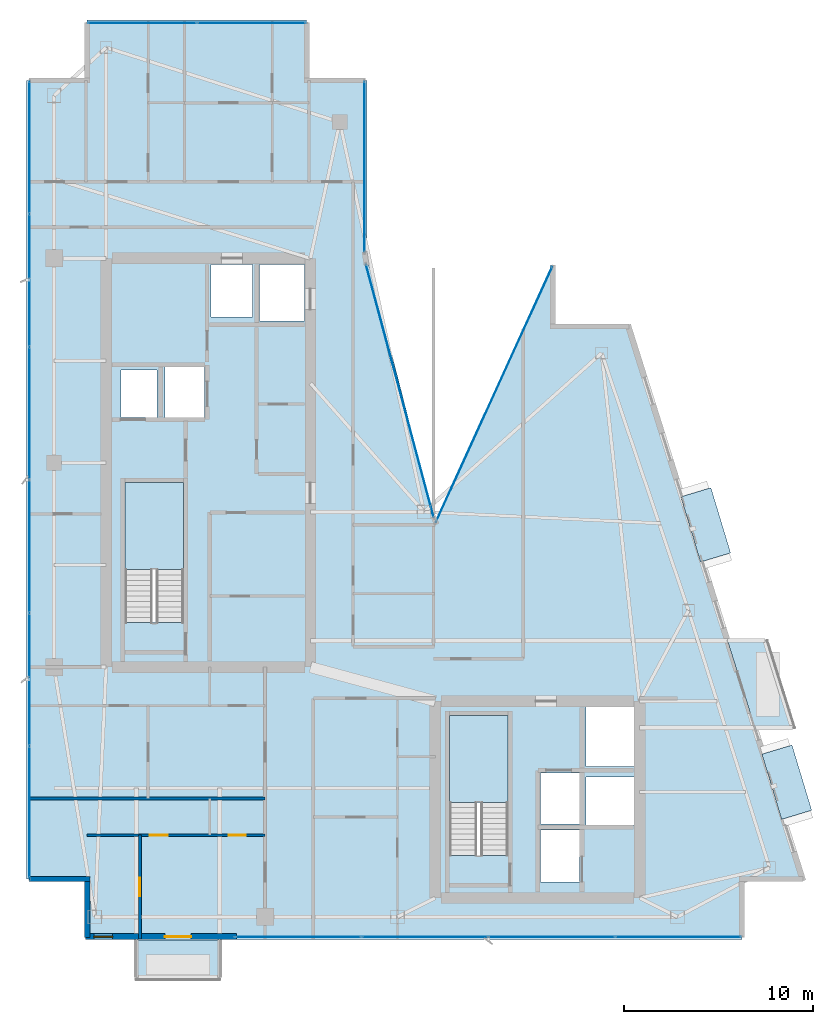
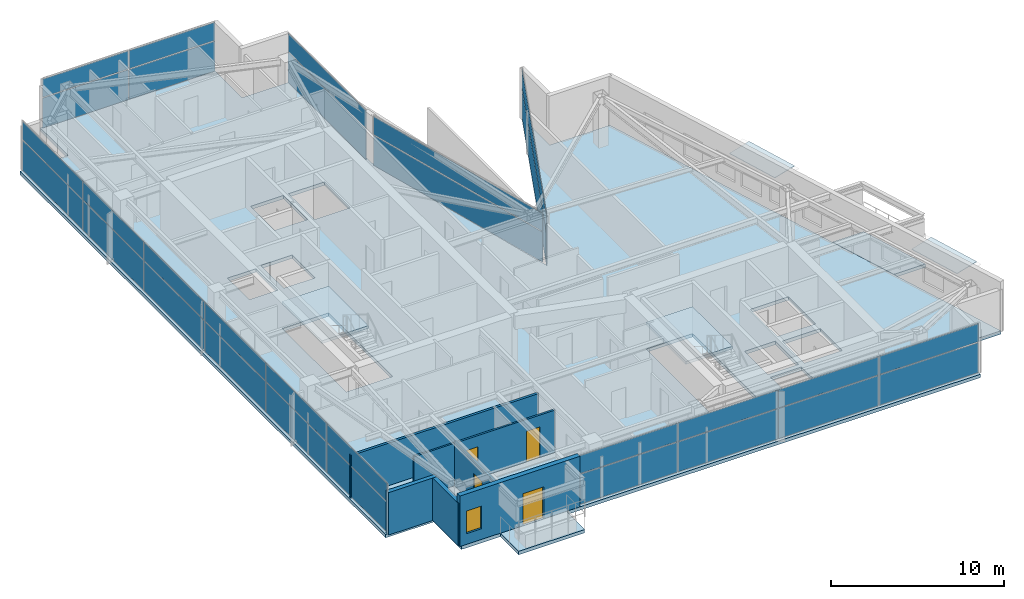
# One storey, part 21 of 27: 32 plates, 6 walls, 5 slabs, 4 doors, 1 window, 5 openings, 8 elements without a shape of their own.
"""IFC4 building model written with IfcOpenShell, lengths in metres."""

from ifc_helpers import new_model, si_unit, direction, frame, frame_2d, origin, origin_2d, place, context, subcontext, project, spatial, polyline, rectangle, outline, extrude, material, layer, layer_set, type_object, element, fill, aggregate, save


model = new_model("IFC4")

# Units and contexts
model_context = context("Model", 3, precision=1e-05, world=origin(), true_north=direction((0.0, 1.0)))
body_context = subcontext(model_context, "Body", "Model", "MODEL_VIEW")
ifc_project = project(units=[si_unit("LENGTHUNIT", "METRE"), si_unit("AREAUNIT", "SQUARE_METRE"), si_unit("VOLUMEUNIT", "CUBIC_METRE"), si_unit("PLANEANGLEUNIT", "RADIAN"), si_unit("MASSUNIT", "GRAM", prefix="KILO")], contexts=[model_context])

# Site, building, storey
site_placement = place(None, origin())
site = spatial("IfcSite", under=ifc_project, at=site_placement, CompositionType="ELEMENT")
building_placement = place(site_placement, origin())
building = spatial("IfcBuilding", under=site, at=building_placement, Name="Calvorn Quay Hotel", CompositionType="ELEMENT")
storey_placement = place(building_placement, frame((0.0, 0.0, 294.89990234375)))
storey = spatial("IfcBuildingStorey", under=building, at=storey_placement, Name="L73", CompositionType="ELEMENT", Elevation=294.89990234375)

# Curtain wall, plates
ifc_material_1 = material(Name="Champagne Bronze Anodised Aluminium and Low-E Glass", Category="aluminium")
ifc_layer_1 = layer(ifc_material_1, 0.219970703125)
ifc_layer_set_1 = layer_set([ifc_layer_1], Name="CW-SYS-Z4")
curtain_wall_type = type_object("IfcCurtainWallType", Name="CW-SYS-Z4", PredefinedType="NOTDEFINED", material=ifc_layer_set_1)
curtain_wall_1_placement = place(storey_placement, origin())
curtain_wall_1 = element("IfcCurtainWall", 1, at=curtain_wall_1_placement, inside=storey, type_object=curtain_wall_type, Name="Tower West Curtain Wall (L73)", PredefinedType="NOTDEFINED")
ifc_material_2 = material(Name="Low-E Laminated Double Glazing", Category="glass")
ifc_layer_2 = layer(ifc_material_2, 0.028076171875)
ifc_layer_set_2 = layer_set([ifc_layer_2], Name="CW-SYS-Z4-PAN")
plate_type_1 = type_object("IfcPlateType", Name="CW-SYS-Z4-PAN", PredefinedType="CURTAIN_PANEL", material=ifc_layer_set_2)
plate_1_placement = place(storey_placement, frame((0.14990234375, 9.131591796875, 0.06005859375), z_axis=(0.0, 0.0, 1.0), x_axis=(0.0, 1.0, 0.0)))
plate_1 = element("IfcPlate", 2, at=plate_1_placement, type_object=plate_type_1, Name="CW-L73-W panel 1.1", PredefinedType="CURTAIN_PANEL", context=body_context, shape_type="SweptSolid", body=[
    extrude(rectangle(XDim=6.943359375, YDim=0.028076171875, at=origin_2d()), origin(), (0.0, 0.0, 1.0), 2.110107421875),
])
plate_2_placement = place(storey_placement, frame((0.14990234375, 9.131591796875, 2.22998046875), z_axis=(0.0, 0.0, 1.0), x_axis=(0.0, 1.0, 0.0)))
plate_2 = element("IfcPlate", 3, at=plate_2_placement, type_object=plate_type_1, Name="CW-L73-W panel 1.2", PredefinedType="CURTAIN_PANEL", context=body_context, shape_type="SweptSolid", body=[
    extrude(rectangle(XDim=6.943359375, YDim=0.028076171875, at=origin_2d()), origin(), (0.0, 0.0, 1.0), 1.27001953125),
])
plate_3_placement = place(storey_placement, frame((0.14990234375, 16.14990234375, 0.06005859375), z_axis=(0.0, 0.0, 1.0), x_axis=(0.0, 1.0, 0.0)))
plate_3 = element("IfcPlate", 4, at=plate_3_placement, type_object=plate_type_1, Name="CW-L73-W panel 2.1", PredefinedType="CURTAIN_PANEL", context=body_context, shape_type="SweptSolid", body=[
    extrude(rectangle(XDim=6.973388671875, YDim=0.028076171875, at=origin_2d()), origin(), (0.0, 0.0, 1.0), 2.110107421875),
])
plate_4_placement = place(storey_placement, frame((0.14990234375, 16.14990234375, 2.22998046875), z_axis=(0.0, 0.0, 1.0), x_axis=(0.0, 1.0, 0.0)))
plate_4 = element("IfcPlate", 5, at=plate_4_placement, type_object=plate_type_1, Name="CW-L73-W panel 2.2", PredefinedType="CURTAIN_PANEL", context=body_context, shape_type="SweptSolid", body=[
    extrude(rectangle(XDim=6.973388671875, YDim=0.028076171875, at=origin_2d()), origin(), (0.0, 0.0, 1.0), 1.27001953125),
])
plate_5_placement = place(storey_placement, frame((0.14990234375, 23.183349609375, 0.06005859375), z_axis=(0.0, 0.0, 1.0), x_axis=(0.0, 1.0, 0.0)))
plate_5 = element("IfcPlate", 6, at=plate_5_placement, type_object=plate_type_1, Name="CW-L73-W panel 3.1", PredefinedType="CURTAIN_PANEL", context=body_context, shape_type="SweptSolid", body=[
    extrude(rectangle(XDim=6.973388671875, YDim=0.028076171875, at=origin_2d()), origin(), (0.0, 0.0, 1.0), 2.110107421875),
])
plate_6_placement = place(storey_placement, frame((0.14990234375, 23.183349609375, 2.22998046875), z_axis=(0.0, 0.0, 1.0), x_axis=(0.0, 1.0, 0.0)))
plate_6 = element("IfcPlate", 7, at=plate_6_placement, type_object=plate_type_1, Name="CW-L73-W panel 3.2", PredefinedType="CURTAIN_PANEL", context=body_context, shape_type="SweptSolid", body=[
    extrude(rectangle(XDim=6.973388671875, YDim=0.028076171875, at=origin_2d()), origin(), (0.0, 0.0, 1.0), 1.27001953125),
])
plate_7_placement = place(storey_placement, frame((0.14990234375, 30.216552734375, 0.06005859375), z_axis=(0.0, 0.0, 1.0), x_axis=(0.0, 1.0, 0.0)))
plate_7 = element("IfcPlate", 8, at=plate_7_placement, type_object=plate_type_1, Name="CW-L73-W panel 4.1", PredefinedType="CURTAIN_PANEL", context=body_context, shape_type="SweptSolid", body=[
    extrude(rectangle(XDim=6.973388671875, YDim=0.028076171875, at=origin_2d()), origin(), (0.0, 0.0, 1.0), 2.110107421875),
])
plate_8_placement = place(storey_placement, frame((0.14990234375, 30.216552734375, 2.22998046875), z_axis=(0.0, 0.0, 1.0), x_axis=(0.0, 1.0, 0.0)))
plate_8 = element("IfcPlate", 9, at=plate_8_placement, type_object=plate_type_1, Name="CW-L73-W panel 4.2", PredefinedType="CURTAIN_PANEL", context=body_context, shape_type="SweptSolid", body=[
    extrude(rectangle(XDim=6.973388671875, YDim=0.028076171875, at=origin_2d()), origin(), (0.0, 0.0, 1.0), 1.27001953125),
])
plate_9_placement = place(storey_placement, frame((0.14990234375, 37.25, 0.06005859375), z_axis=(0.0, 0.0, 1.0), x_axis=(0.0, 1.0, 0.0)))
plate_9 = element("IfcPlate", 10, at=plate_9_placement, type_object=plate_type_1, Name="CW-L73-W panel 5.1", PredefinedType="CURTAIN_PANEL", context=body_context, shape_type="SweptSolid", body=[
    extrude(rectangle(XDim=6.973388671875, YDim=0.028076171875, at=origin_2d()), origin(), (0.0, 0.0, 1.0), 2.110107421875),
])
plate_10_placement = place(storey_placement, frame((0.14990234375, 37.25, 2.22998046875), z_axis=(0.0, 0.0, 1.0), x_axis=(0.0, 1.0, 0.0)))
plate_10 = element("IfcPlate", 11, at=plate_10_placement, type_object=plate_type_1, Name="CW-L73-W panel 5.2", PredefinedType="CURTAIN_PANEL", context=body_context, shape_type="SweptSolid", body=[
    extrude(rectangle(XDim=6.973388671875, YDim=0.028076171875, at=origin_2d()), origin(), (0.0, 0.0, 1.0), 1.27001953125),
])
plate_11_placement = place(storey_placement, frame((0.14990234375, 44.268310546875, 0.06005859375), z_axis=(0.0, 0.0, 1.0), x_axis=(0.0, 1.0, 0.0)))
plate_11 = element("IfcPlate", 12, at=plate_11_placement, type_object=plate_type_1, Name="CW-L73-W panel 6.1", PredefinedType="CURTAIN_PANEL", context=body_context, shape_type="SweptSolid", body=[
    extrude(rectangle(XDim=6.943359375, YDim=0.028076171875, at=origin_2d()), origin(), (0.0, 0.0, 1.0), 2.110107421875),
])
plate_12_placement = place(storey_placement, frame((0.14990234375, 44.268310546875, 2.22998046875), z_axis=(0.0, 0.0, 1.0), x_axis=(0.0, 1.0, 0.0)))
plate_12 = element("IfcPlate", 13, at=plate_12_placement, type_object=plate_type_1, Name="CW-L73-W panel 6.2", PredefinedType="CURTAIN_PANEL", context=body_context, shape_type="SweptSolid", body=[
    extrude(rectangle(XDim=6.943359375, YDim=0.028076171875, at=origin_2d()), origin(), (0.0, 0.0, 1.0), 1.27001953125),
])
aggregate(curtain_wall_1, [plate_1, plate_2, plate_3, plate_4, plate_5, plate_6, plate_7, plate_8, plate_9, plate_10, plate_11, plate_12])

curtain_wall_2_placement = place(storey_placement, origin())
curtain_wall_2 = element("IfcCurtainWall", 14, at=curtain_wall_2_placement, inside=storey, type_object=curtain_wall_type, Name="Tower South Waterfront Curtain Wall (L73)", PredefinedType="NOTDEFINED")
plate_13_placement = place(storey_placement, frame((14.364990234375, 2.550048828125, 0.06005859375), z_axis=(0.0, 0.0, 1.0), x_axis=(1.0, 0.0, 0.0)))
plate_13 = element("IfcPlate", 15, at=plate_13_placement, type_object=plate_type_1, Name="CW-L73-S panel 1.1", PredefinedType="CURTAIN_PANEL", context=body_context, shape_type="SweptSolid", body=[
    extrude(rectangle(XDim=6.610107421875, YDim=0.028076171875, at=origin_2d()), origin(), (0.0, 0.0, 1.0), 2.110107421875),
])
plate_14_placement = place(storey_placement, frame((14.364990234375, 2.550048828125, 2.22998046875), z_axis=(0.0, 0.0, 1.0), x_axis=(1.0, 0.0, 0.0)))
plate_14 = element("IfcPlate", 16, at=plate_14_placement, type_object=plate_type_1, Name="CW-L73-S panel 1.2", PredefinedType="CURTAIN_PANEL", context=body_context, shape_type="SweptSolid", body=[
    extrude(rectangle(XDim=6.610107421875, YDim=0.028076171875, at=origin_2d()), origin(), (0.0, 0.0, 1.0), 1.27001953125),
])
plate_15_placement = place(storey_placement, frame((21.050048828125, 2.550048828125, 0.06005859375), z_axis=(0.0, 0.0, 1.0), x_axis=(1.0, 0.0, 0.0)))
plate_15 = element("IfcPlate", 17, at=plate_15_placement, type_object=plate_type_1, Name="CW-L73-S panel 2.1", PredefinedType="CURTAIN_PANEL", context=body_context, shape_type="SweptSolid", body=[
    extrude(rectangle(XDim=6.639892578125, YDim=0.028076171875, at=origin_2d()), origin(), (0.0, 0.0, 1.0), 2.110107421875),
])
plate_16_placement = place(storey_placement, frame((21.050048828125, 2.550048828125, 2.22998046875), z_axis=(0.0, 0.0, 1.0), x_axis=(1.0, 0.0, 0.0)))
plate_16 = element("IfcPlate", 18, at=plate_16_placement, type_object=plate_type_1, Name="CW-L73-S panel 2.2", PredefinedType="CURTAIN_PANEL", context=body_context, shape_type="SweptSolid", body=[
    extrude(rectangle(XDim=6.639892578125, YDim=0.028076171875, at=origin_2d()), origin(), (0.0, 0.0, 1.0), 1.27001953125),
])
plate_17_placement = place(storey_placement, frame((27.75, 2.550048828125, 0.06005859375), z_axis=(0.0, 0.0, 1.0), x_axis=(1.0, 0.0, 0.0)))
plate_17 = element("IfcPlate", 19, at=plate_17_placement, type_object=plate_type_1, Name="CW-L73-S panel 3.1", PredefinedType="CURTAIN_PANEL", context=body_context, shape_type="SweptSolid", body=[
    extrude(rectangle(XDim=6.639892578125, YDim=0.028076171875, at=origin_2d()), origin(), (0.0, 0.0, 1.0), 2.110107421875),
])
plate_18_placement = place(storey_placement, frame((27.75, 2.550048828125, 2.22998046875), z_axis=(0.0, 0.0, 1.0), x_axis=(1.0, 0.0, 0.0)))
plate_18 = element("IfcPlate", 20, at=plate_18_placement, type_object=plate_type_1, Name="CW-L73-S panel 3.2", PredefinedType="CURTAIN_PANEL", context=body_context, shape_type="SweptSolid", body=[
    extrude(rectangle(XDim=6.639892578125, YDim=0.028076171875, at=origin_2d()), origin(), (0.0, 0.0, 1.0), 1.27001953125),
])
plate_19_placement = place(storey_placement, frame((34.43505859375, 2.550048828125, 0.06005859375), z_axis=(0.0, 0.0, 1.0), x_axis=(1.0, 0.0, 0.0)))
plate_19 = element("IfcPlate", 21, at=plate_19_placement, type_object=plate_type_1, Name="CW-L73-S panel 4.1", PredefinedType="CURTAIN_PANEL", context=body_context, shape_type="SweptSolid", body=[
    extrude(rectangle(XDim=6.610107421875, YDim=0.028076171875, at=origin_2d()), origin(), (0.0, 0.0, 1.0), 2.110107421875),
])
plate_20_placement = place(storey_placement, frame((34.43505859375, 2.550048828125, 2.22998046875), z_axis=(0.0, 0.0, 1.0), x_axis=(1.0, 0.0, 0.0)))
plate_20 = element("IfcPlate", 22, at=plate_20_placement, type_object=plate_type_1, Name="CW-L73-S panel 4.2", PredefinedType="CURTAIN_PANEL", context=body_context, shape_type="SweptSolid", body=[
    extrude(rectangle(XDim=6.610107421875, YDim=0.028076171875, at=origin_2d()), origin(), (0.0, 0.0, 1.0), 1.27001953125),
])
aggregate(curtain_wall_2, [plate_13, plate_14, plate_15, plate_16, plate_17, plate_18, plate_19, plate_20])

curtain_wall_3_placement = place(storey_placement, origin())
curtain_wall_3 = element("IfcCurtainWall", 23, at=curtain_wall_3_placement, inside=storey, type_object=curtain_wall_type, Name="Inner Court Curtain Wall L73-NE1", PredefinedType="NOTDEFINED")
plate_21_placement = place(storey_placement, frame((24.699951171875, 31.199951171875, 0.06005859375), z_axis=(0.0, 0.0, 1.0), x_axis=(-0.414810847724, -0.909907665981, 0.0)))
plate_21 = element("IfcPlate", 24, at=plate_21_placement, type_object=plate_type_1, Name="CW-L73-NE1 panel 1.1", PredefinedType="CURTAIN_PANEL", context=body_context, shape_type="SweptSolid", body=[
    extrude(rectangle(XDim=14.82666015625, YDim=0.028076171875, at=origin_2d()), origin(), (0.0, 0.0, 1.0), 2.110107421875),
])
plate_22_placement = place(storey_placement, frame((24.699951171875, 31.199951171875, 2.22998046875), z_axis=(0.0, 0.0, 1.0), x_axis=(-0.414810847724, -0.909907665981, 0.0)))
plate_22 = element("IfcPlate", 25, at=plate_22_placement, type_object=plate_type_1, Name="CW-L73-NE1 panel 1.2", PredefinedType="CURTAIN_PANEL", context=body_context, shape_type="SweptSolid", body=[
    extrude(rectangle(XDim=14.82666015625, YDim=0.028076171875, at=origin_2d()), origin(), (0.0, 0.0, 1.0), 1.27001953125),
])
aggregate(curtain_wall_3, [plate_21, plate_22])

curtain_wall_4_placement = place(storey_placement, origin())
curtain_wall_4 = element("IfcCurtainWall", 26, at=curtain_wall_4_placement, inside=storey, type_object=curtain_wall_type, Name="Inner Court Curtain Wall L73-IC1", PredefinedType="NOTDEFINED")
plate_23_placement = place(storey_placement, frame((19.72509765625, 31.39990234375, 0.06005859375), z_axis=(0.0, 0.0, 1.0), x_axis=(-0.25877913024, 0.96593652056, 0.0)))
plate_23 = element("IfcPlate", 27, at=plate_23_placement, type_object=plate_type_1, Name="CW-L73-IC1 panel 1.1", PredefinedType="CURTAIN_PANEL", context=body_context, shape_type="SweptSolid", body=[
    extrude(rectangle(XDim=13.814697265625, YDim=0.028076171875, at=origin_2d()), origin(), (0.0, 0.0, 1.0), 2.110107421875),
])
plate_24_placement = place(storey_placement, frame((19.72509765625, 31.39990234375, 2.22998046875), z_axis=(0.0, 0.0, 1.0), x_axis=(-0.25877913024, 0.96593652056, 0.0)))
plate_24 = element("IfcPlate", 28, at=plate_24_placement, type_object=plate_type_1, Name="CW-L73-IC1 panel 1.2", PredefinedType="CURTAIN_PANEL", context=body_context, shape_type="SweptSolid", body=[
    extrude(rectangle(XDim=13.814697265625, YDim=0.028076171875, at=origin_2d()), origin(), (0.0, 0.0, 1.0), 1.27001953125),
])
aggregate(curtain_wall_4, [plate_23, plate_24])

curtain_wall_5_placement = place(storey_placement, origin())
curtain_wall_5 = element("IfcCurtainWall", 29, at=curtain_wall_5_placement, inside=storey, type_object=curtain_wall_type, Name="Inner Court Curtain Wall L73-IC2", PredefinedType="NOTDEFINED")
plate_25_placement = place(storey_placement, frame((17.85009765625, 43.239990234375, 0.06005859375), z_axis=(0.0, 0.0, 1.0), x_axis=(0.0, 1.0, 0.0)))
plate_25 = element("IfcPlate", 30, at=plate_25_placement, type_object=plate_type_1, Name="CW-L73-IC2 panel 1.1", PredefinedType="CURTAIN_PANEL", context=body_context, shape_type="SweptSolid", body=[
    extrude(rectangle(XDim=9.0, YDim=0.028076171875, at=origin_2d()), origin(), (0.0, 0.0, 1.0), 2.110107421875),
])
plate_26_placement = place(storey_placement, frame((17.85009765625, 43.239990234375, 2.22998046875), z_axis=(0.0, 0.0, 1.0), x_axis=(0.0, 1.0, 0.0)))
plate_26 = element("IfcPlate", 31, at=plate_26_placement, type_object=plate_type_1, Name="CW-L73-IC2 panel 1.2", PredefinedType="CURTAIN_PANEL", context=body_context, shape_type="SweptSolid", body=[
    extrude(rectangle(XDim=9.0, YDim=0.028076171875, at=origin_2d()), origin(), (0.0, 0.0, 1.0), 1.27001953125),
])
aggregate(curtain_wall_5, [plate_25, plate_26])

curtain_wall_6_placement = place(storey_placement, origin())
curtain_wall_6 = element("IfcCurtainWall", 32, at=curtain_wall_6_placement, inside=storey, type_object=curtain_wall_type, Name="Inner Court Curtain Wall L73-N1", PredefinedType="NOTDEFINED")
plate_27_placement = place(storey_placement, frame((11.885009765625, 50.85009765625, 0.06005859375), z_axis=(0.0, 0.0, 1.0), x_axis=(-1.0, 0.0, 0.0)))
plate_27 = element("IfcPlate", 33, at=plate_27_placement, type_object=plate_type_1, Name="CW-L73-N1 panel 1.1", PredefinedType="CURTAIN_PANEL", context=body_context, shape_type="SweptSolid", body=[
    extrude(rectangle(XDim=5.7099609375, YDim=0.028076171875, at=origin_2d()), origin(), (0.0, 0.0, 1.0), 2.110107421875),
])
plate_28_placement = place(storey_placement, frame((11.885009765625, 50.85009765625, 2.22998046875), z_axis=(0.0, 0.0, 1.0), x_axis=(-1.0, 0.0, 0.0)))
plate_28 = element("IfcPlate", 34, at=plate_28_placement, type_object=plate_type_1, Name="CW-L73-N1 panel 1.2", PredefinedType="CURTAIN_PANEL", context=body_context, shape_type="SweptSolid", body=[
    extrude(rectangle(XDim=5.7099609375, YDim=0.028076171875, at=origin_2d()), origin(), (0.0, 0.0, 1.0), 1.27001953125),
])
plate_29_placement = place(storey_placement, frame((6.114990234375, 50.85009765625, 0.06005859375), z_axis=(0.0, 0.0, 1.0), x_axis=(-1.0, 0.0, 0.0)))
plate_29 = element("IfcPlate", 35, at=plate_29_placement, type_object=plate_type_1, Name="CW-L73-N1 panel 2.1", PredefinedType="CURTAIN_PANEL", context=body_context, shape_type="SweptSolid", body=[
    extrude(rectangle(XDim=5.7099609375, YDim=0.028076171875, at=origin_2d()), origin(), (0.0, 0.0, 1.0), 2.110107421875),
])
plate_30_placement = place(storey_placement, frame((6.114990234375, 50.85009765625, 2.22998046875), z_axis=(0.0, 0.0, 1.0), x_axis=(-1.0, 0.0, 0.0)))
plate_30 = element("IfcPlate", 36, at=plate_30_placement, type_object=plate_type_1, Name="CW-L73-N1 panel 2.2", PredefinedType="CURTAIN_PANEL", context=body_context, shape_type="SweptSolid", body=[
    extrude(rectangle(XDim=5.7099609375, YDim=0.028076171875, at=origin_2d()), origin(), (0.0, 0.0, 1.0), 1.27001953125),
])
aggregate(curtain_wall_6, [plate_27, plate_28, plate_29, plate_30])

# Plates
ifc_material_3 = material(Name="Tempered Laminated Low-E Glass", Category="glass")
ifc_layer_3 = layer(ifc_material_3, 0.0380859375)
ifc_layer_set_3 = layer_set([ifc_layer_3], Name="PLT-HOOD-GLAZ")
plate_type_2 = type_object("IfcPlateType", Name="PLT-HOOD-GLAZ", PredefinedType="SHEET", material=ifc_layer_set_3)
for number, where, z_axis, x_axis, name in (
    (37, (40.174072265625, 10.718017578125, 2.467041015625), (0.0, 0.0, 1.0), (0.957319497532, 0.289031796944, 0.0), "Angled Glass Bay Hood Panel L73-HOOD-1"),
    (38, (35.888916015625, 24.318115234375, 2.467041015625), (0.0, 0.0, 1.0), (0.957319497532, 0.289031796944, 0.0), "Angled Glass Bay Hood Panel L73-HOOD-3"),
):
    element("IfcPlate", number, at=place(storey_placement, frame(where, z_axis=z_axis, x_axis=x_axis)), inside=storey, type_object=plate_type_2, Name=name, PredefinedType="SHEET", context=body_context, shape_type="SweptSolid", body=[
        extrude(rectangle(XDim=1.659912109375, YDim=3.60009765625, at=origin_2d()), origin(), (0.0, 0.0, 1.0), 0.0380859375),
    ])

# Slabs
ifc_material_4 = material(Name="Concrete C40", Category="concrete")
ifc_layer_4 = layer(ifc_material_4, 0.239990234375)
ifc_layer_set_4 = layer_set([ifc_layer_4], Name="SLB-BALCONY-220")
slab_type_1 = type_object("IfcSlabType", Name="SLB-BALCONY-220", PredefinedType="FLOOR", material=ifc_layer_set_4)
slab_1_placement = place(storey_placement, frame((0.0, 0.0, -0.239990234375)))
element("IfcSlab", 39, at=slab_1_placement, inside=storey, type_object=slab_type_1, Name="Tree Balcony Slab L73-BALC-E", PredefinedType="FLOOR", context=body_context, shape_type="SweptSolid", body=[
    extrude(outline(polyline([(38.489013671875, 13.60009765625), (40.589111328125, 13.60009765625), (39.139892578125, 18.199951171875), (37.0400390625, 18.199951171875), (38.489013671875, 13.60009765625)])), origin(), (0.0, 0.0, 1.0), 0.239990234375),
])
slab_2_placement = place(storey_placement, frame((0.0, 0.0, -0.239990234375)))
element("IfcSlab", 40, at=slab_2_placement, inside=storey, type_object=slab_type_1, Name="Tree Balcony Slab L73-BALC-S", PredefinedType="FLOOR", context=body_context, shape_type="SweptSolid", body=[
    extrude(outline(polyline([(5.800048828125, 0.2900390625), (10.199951171875, 0.2900390625), (10.199951171875, 2.389892578125), (5.800048828125, 2.389892578125), (5.800048828125, 0.2900390625)])), origin(), (0.0, 0.0, 1.0), 0.239990234375),
])

# Stair, slab
ifc_material_5 = material(Name="Concrete C40", Category="concrete")
stair_type = type_object("IfcStairType", Name="STR-CORE-DOGLEG", PredefinedType="HALF_TURN_STAIR", material=ifc_material_5)
stair_1_placement = place(storey_placement, origin())
stair_1 = element("IfcStair", 41, at=stair_1_placement, inside=storey, type_object=stair_type, Name="L73 ST-W", PredefinedType="HALF_TURN_STAIR")
ifc_material_6 = material(Name="Concrete C40", Category="concrete")
ifc_layer_5 = layer(ifc_material_6, 0.199951171875)
ifc_layer_set_5 = layer_set([ifc_layer_5], Name="SLB-STAIR-LANDING-200")
slab_type_2 = type_object("IfcSlabType", Name="SLB-STAIR-LANDING-200", PredefinedType="LANDING", material=ifc_layer_set_5)
slab_3_placement = place(storey_placement, frame((0.0, 0.0, 1.7001953125)))
slab_3 = element("IfcSlab", 42, at=slab_3_placement, type_object=slab_type_2, Name="ST-W landing 1", PredefinedType="LANDING", context=body_context, shape_type="SweptSolid", body=[
    extrude(outline(polyline([(8.300048828125, 21.949951171875), (8.300048828125, 26.550048828125), (5.199951171875, 26.550048828125), (5.199951171875, 21.949951171875), (8.300048828125, 21.949951171875)])), origin(), (0.0, 0.0, 1.0), 0.199951171875),
])
aggregate(stair_1, [slab_3])

stair_2_placement = place(storey_placement, origin())
stair_2 = element("IfcStair", 43, at=stair_2_placement, inside=storey, type_object=stair_type, Name="L73 ST-E", PredefinedType="HALF_TURN_STAIR")
slab_4_placement = place(storey_placement, frame((0.0, 0.0, 1.7001953125)))
slab_4 = element("IfcSlab", 44, at=slab_4_placement, type_object=slab_type_2, Name="ST-E landing 1", PredefinedType="LANDING", context=body_context, shape_type="SweptSolid", body=[
    extrude(outline(polyline([(25.449951171875, 9.64990234375), (25.449951171875, 14.25), (22.35009765625, 14.25), (22.35009765625, 9.64990234375), (25.449951171875, 9.64990234375)])), origin(), (0.0, 0.0, 1.0), 0.199951171875),
])
aggregate(stair_2, [slab_4])

# Slab
ifc_material_7 = material(Name="Concrete C40", Category="concrete")
ifc_layer_6 = layer(ifc_material_7, 0.239990234375)
ifc_layer_set_6 = layer_set([ifc_layer_6], Name="SLB-TOWER-240")
slab_type_3 = type_object("IfcSlabType", Name="SLB-TOWER-240", PredefinedType="FLOOR", material=ifc_layer_set_6)
slab_5_placement = place(storey_placement, frame((0.0, 0.0, -0.239990234375)))
element("IfcSlab", 45, at=slab_5_placement, inside=storey, type_object=slab_type_3, Name="L73 Structural Floor Slab", PredefinedType="FLOOR", context=body_context, shape_type="SweptSolid", body=[
    extrude(outline(polyline([(0.0, 5.60009765625), (3.199951171875, 5.60009765625), (3.199951171875, 2.39990234375), (37.800048828125, 2.39990234375), (37.800048828125, 5.60009765625), (41.0, 5.60009765625), (31.800048828125, 34.800048828125), (27.800048828125, 34.800048828125), (27.800048828125, 38.0), (21.60009765625, 24.39990234375), (18.0, 38.39990234375), (18.0, 47.800048828125), (14.800048828125, 47.800048828125), (14.800048828125, 51.0), (3.199951171875, 51.0), (3.199951171875, 47.800048828125), (0.0, 47.800048828125), (0.0, 5.60009765625)]), holes=[polyline([(5.199951171875, 19.156005859375), (8.300048828125, 19.156005859375), (8.300048828125, 26.550048828125), (5.199951171875, 26.550048828125), (5.199951171875, 19.156005859375)]), polyline([(22.35009765625, 6.85595703125), (25.449951171875, 6.85595703125), (25.449951171875, 14.25), (22.35009765625, 14.25), (22.35009765625, 6.85595703125)]), polyline([(5.0, 30.0), (6.89990234375, 30.0), (6.89990234375, 32.5), (5.0, 32.5), (5.0, 30.0)]), polyline([(7.300048828125, 30.0), (9.39990234375, 30.0), (9.39990234375, 32.64990234375), (7.300048828125, 32.64990234375), (7.300048828125, 30.0)]), polyline([(27.159912109375, 8.5), (29.2099609375, 8.5), (29.2099609375, 11.199951171875), (27.159912109375, 11.199951171875), (27.159912109375, 8.5)]), polyline([(27.159912109375, 5.449951171875), (29.2099609375, 5.449951171875), (29.2099609375, 8.199951171875), (27.159912109375, 8.199951171875), (27.159912109375, 5.449951171875)]), polyline([(12.300048828125, 35.10009765625), (14.68994140625, 35.10009765625), (14.68994140625, 38.090087890625), (12.300048828125, 38.090087890625), (12.300048828125, 35.10009765625)]), polyline([(9.75, 35.300048828125), (11.949951171875, 35.300048828125), (11.949951171875, 38.090087890625), (9.75, 38.090087890625), (9.75, 35.300048828125)]), polyline([(29.550048828125, 11.550048828125), (32.090087890625, 11.550048828125), (32.090087890625, 14.68994140625), (29.550048828125, 14.68994140625), (29.550048828125, 11.550048828125)]), polyline([(29.550048828125, 8.449951171875), (32.090087890625, 8.449951171875), (32.090087890625, 11.0), (29.550048828125, 11.0), (29.550048828125, 8.449951171875)])]), origin(), (0.0, 0.0, 1.0), 0.239990234375),
])

# Wall, openings, doors
ifc_material_8 = material(Name="Moisture-Resistant Tile-Backed Partition")
ifc_layer_7 = layer(ifc_material_8, 0.125)
ifc_layer_set_7 = layer_set([ifc_layer_7], Name="WL-ENSUITE-125")
wall_type_1 = type_object("IfcWallType", Name="WL-ENSUITE-125", PredefinedType="PARTITIONING", material=ifc_layer_set_7)
wall_1_placement = place(storey_placement, frame((3.199951171875, 7.919921875, 0.0), z_axis=(0.0, 0.0, 1.0), x_axis=(1.0, 0.0, 0.0)))
wall_1 = element("IfcWall", 46, at=wall_1_placement, inside=storey, type_object=wall_type_1, Name="Partition Wall L73-WL-U01-BH", PredefinedType="PARTITIONING", context=body_context, shape_type="SweptSolid", body=[
    extrude(rectangle(XDim=9.400146484375, YDim=0.125, at=frame_2d((4.7001953125, 0.0))), origin(), (0.0, 0.0, 1.0), 2.989990234375),
])
opening_1_placement = place(wall_1_placement, frame((3.300048828125, 0.0, 0.0)))
opening_1 = element("IfcOpeningElement", 47, at=opening_1_placement, cuts=wall_1, Name="Opening D-L73-S01", PredefinedType="OPENING", context=body_context, shape_type="SweptSolid", body=[
    extrude(rectangle(XDim=0.9599609375, YDim=2.199951171875, at=frame_2d((0.47998046875, 1.10009765625))), frame((0.0, 0.072509765625, 0.0), z_axis=(0.0, -1.0, 0.0), x_axis=(1.0, 0.0, 0.0)), (0.0, 0.0, 1.0), 0.14501953125),
])
opening_2_placement = place(wall_1_placement, frame((7.489990234375, 0.0, 0.0)))
opening_2 = element("IfcOpeningElement", 48, at=opening_2_placement, cuts=wall_1, Name="Opening D-L73-E01", PredefinedType="OPENING", context=body_context, shape_type="SweptSolid", body=[
    extrude(rectangle(XDim=0.89990234375, YDim=2.14990234375, at=frame_2d((0.449951171875, 1.074951171875))), frame((0.0, 0.072509765625, 0.0), z_axis=(0.0, -1.0, 0.0), x_axis=(1.0, 0.0, 0.0)), (0.0, 0.0, 1.0), 0.14501953125),
])
ifc_material_9 = material(Name="Moisture-Sealed Timber En-Suite Door", Category="wood")
door_type_1 = type_object("IfcDoorType", Name="DR-ENSUITE-900", OperationType="NOTDEFINED", PredefinedType="DOOR", material=ifc_material_9)
door_1_placement = place(opening_2_placement, origin())
door_1 = element("IfcDoor", 49, at=door_1_placement, inside=storey, type_object=door_type_1, Name="En-Suite Door 01", OperationType="SINGLE_SWING_RIGHT", OverallHeight=2.14990234375, OverallWidth=0.89990234375, PredefinedType="DOOR", context=body_context, shape_type="SweptSolid", body=[
    extrude(rectangle(XDim=0.89990234375, YDim=2.14990234375, at=frame_2d((0.449951171875, 1.074951171875))), frame((0.0, 0.02490234375, 0.0), z_axis=(0.0, -1.0, 0.0), x_axis=(1.0, 0.0, 0.0)), (0.0, 0.0, 1.0), 0.050048828125),
])
fill(opening_2, door_1)
ifc_material_10 = material(Name="Solid Timber Internal Suite Door", Category="wood")
door_type_2 = type_object("IfcDoorType", Name="DR-SUITE-INT-960", OperationType="NOTDEFINED", PredefinedType="DOOR", material=ifc_material_10)
door_2_placement = place(opening_1_placement, origin())
door_2 = element("IfcDoor", 50, at=door_2_placement, inside=storey, type_object=door_type_2, Name="Executive Work Office Door 01", OperationType="SINGLE_SWING_LEFT", OverallHeight=2.199951171875, OverallWidth=0.9599609375, PredefinedType="DOOR", context=body_context, shape_type="SweptSolid", body=[
    extrude(rectangle(XDim=0.9599609375, YDim=2.199951171875, at=frame_2d((0.47998046875, 1.10009765625))), frame((0.0, 0.02490234375, 0.0), z_axis=(0.0, -1.0, 0.0), x_axis=(1.0, 0.0, 0.0)), (0.0, 0.0, 1.0), 0.050048828125),
])
fill(opening_1, door_2)

# Wall, openings, door, window
ifc_material_11 = material(Name="Concrete C40", Category="concrete")
ifc_layer_8 = layer(ifc_material_11, 0.320068359375)
ifc_layer_set_8 = layer_set([ifc_layer_8], Name="WL-EXT-SPANDREL-320")
wall_type_2 = type_object("IfcWallType", Name="WL-EXT-SPANDREL-320", PredefinedType="SOLIDWALL", material=ifc_layer_set_8)
wall_2_placement = place(storey_placement, frame((3.10009765625, 2.56005859375, 0.0), z_axis=(0.0, 0.0, 1.0), x_axis=(1.0, 0.0, 0.0)))
wall_2 = element("IfcWall", 51, at=wall_2_placement, inside=storey, type_object=wall_type_2, Name="South Balcony Exterior Wall (L73)", PredefinedType="SOLIDWALL", context=body_context, shape_type="SweptSolid", body=[
    extrude(rectangle(XDim=8.0, YDim=0.320068359375, at=frame_2d((4.0, 0.0))), origin(), (0.0, 0.0, 1.0), 3.56005859375),
])
opening_3_placement = place(wall_2_placement, frame((0.449951171875, 0.0, 0.75)))
opening_3 = element("IfcOpeningElement", 52, at=opening_3_placement, cuts=wall_2, Name="Opening WSB-L73-1", PredefinedType="OPENING", context=body_context, shape_type="SweptSolid", body=[
    extrude(rectangle(XDim=1.0, YDim=1.60009765625, at=frame_2d((0.5, 0.800048828125))), frame((0.0, 0.169921875, 0.0), z_axis=(0.0, -1.0, 0.0), x_axis=(1.0, 0.0, 0.0)), (0.0, 0.0, 1.0), 0.340087890625),
])
opening_4_placement = place(wall_2_placement, frame((4.199951171875, 0.0, 0.0)))
opening_4 = element("IfcOpeningElement", 53, at=opening_4_placement, cuts=wall_2, Name="Opening DB-L73-2", PredefinedType="OPENING", context=body_context, shape_type="SweptSolid", body=[
    extrude(rectangle(XDim=1.39990234375, YDim=2.25, at=frame_2d((0.699951171875, 1.125))), frame((0.0, 0.169921875, 0.0), z_axis=(0.0, -1.0, 0.0), x_axis=(1.0, 0.0, 0.0)), (0.0, 0.0, 1.0), 0.340087890625),
])
ifc_material_12 = material(Name="Typhoon-Rated Low-E Aluminium Terrace Door", Category="aluminium")
door_type_3 = type_object("IfcDoorType", Name="DR-BALCONY-GLZ-1400", OperationType="NOTDEFINED", PredefinedType="DOOR", material=ifc_material_12)
door_3_placement = place(opening_4_placement, origin())
door_3 = element("IfcDoor", 54, at=door_3_placement, inside=storey, type_object=door_type_3, Name="Tree Balcony Terrace Door L73-BALC-S", OperationType="SINGLE_SWING_LEFT", OverallHeight=2.25, OverallWidth=1.39990234375, PredefinedType="DOOR", context=body_context, shape_type="SweptSolid", body=[
    extrude(rectangle(XDim=1.39990234375, YDim=2.25, at=frame_2d((0.699951171875, 1.125))), frame((0.0, 0.02490234375, 0.0), z_axis=(0.0, -1.0, 0.0), x_axis=(1.0, 0.0, 0.0)), (0.0, 0.0, 1.0), 0.050048828125),
])
fill(opening_4, door_3)
ifc_material_13 = material(Name="Self-Closing Class B Side Fire Window")
window_type = type_object("IfcWindowType", Name="WIN-REFUGE-NARROW-1000x1600", PartitioningType="SINGLE_PANEL", PredefinedType="WINDOW", material=ifc_material_13)
window_placement = place(opening_3_placement, origin())
window = element("IfcWindow", 55, at=window_placement, inside=storey, type_object=window_type, Name="South Waterfront Side Window (L73)", OverallHeight=1.60009765625, OverallWidth=1.0, PartitioningType="SINGLE_PANEL", PredefinedType="WINDOW", context=body_context, shape_type="SweptSolid", body=[
    extrude(rectangle(XDim=1.0, YDim=1.60009765625, at=frame_2d((0.5, 0.800048828125))), frame((0.0, 0.030029296875, 0.0), z_axis=(0.0, -1.0, 0.0), x_axis=(1.0, 0.0, 0.0)), (0.0, 0.0, 1.0), 0.06005859375),
])
fill(opening_3, window)

# Walls
wall_3_placement = place(storey_placement, frame((0.1201171875, 5.60009765625, 0.0), z_axis=(0.0, 0.0, 1.0), x_axis=(1.0, 0.0, 0.0)))
element("IfcWall", 56, at=wall_3_placement, inside=storey, type_object=wall_type_2, Name="Notched Corner Spandrel L73-SW1", PredefinedType="SOLIDWALL", context=body_context, shape_type="SweptSolid", body=[
    extrude(rectangle(XDim=3.219970703125, YDim=0.280029296875, at=frame_2d((1.60986328125, 0.0))), origin(), (0.0, 0.0, 1.0), 2.989990234375),
])
wall_4_placement = place(storey_placement, frame((3.199951171875, 5.4599609375, 0.0), z_axis=(0.0, 0.0, 1.0), x_axis=(0.0, -1.0, 0.0)))
element("IfcWall", 57, at=wall_4_placement, inside=storey, type_object=wall_type_2, Name="Notched Corner Spandrel L73-SW2", PredefinedType="SOLIDWALL", context=body_context, shape_type="SweptSolid", body=[
    extrude(rectangle(XDim=2.93994140625, YDim=0.280029296875, at=frame_2d((1.469970703125, 0.0))), origin(), (0.0, 0.0, 1.0), 2.989990234375),
])

# Wall, opening, door
ifc_material_14 = material(Name="Double-Stud Acoustic Gypsum Partition")
ifc_layer_9 = layer(ifc_material_14, 0.159912109375)
ifc_layer_set_9 = layer_set([ifc_layer_9], Name="WL-INTERSUITE-160")
wall_type_3 = type_object("IfcWallType", Name="WL-INTERSUITE-160", PredefinedType="PARTITIONING", material=ifc_layer_set_9)
wall_5_placement = place(storey_placement, frame((5.97998046875, 2.43994140625, 0.0), z_axis=(0.0, 0.0, 1.0), x_axis=(0.0, 1.0, 0.0)))
wall_5 = element("IfcWall", 58, at=wall_5_placement, inside=storey, type_object=wall_type_3, Name="Partition Wall L73-WL-U01-MSP", PredefinedType="PARTITIONING", context=body_context, shape_type="SweptSolid", body=[
    extrude(rectangle(XDim=5.47998046875, YDim=0.159912109375, at=frame_2d((2.739990234375, 0.0))), origin(), (0.0, 0.0, 1.0), 3.090087890625),
])
opening_5_placement = place(wall_5_placement, frame((2.260009765625, 0.0, 0.0)))
opening_5 = element("IfcOpeningElement", 59, at=opening_5_placement, cuts=wall_5, Name="Opening D-L73-M01", PredefinedType="OPENING", context=body_context, shape_type="SweptSolid", body=[
    extrude(rectangle(XDim=0.9599609375, YDim=2.199951171875, at=frame_2d((0.47998046875, 1.10009765625))), frame((0.0, 0.08984375, 0.0), z_axis=(0.0, -1.0, 0.0), x_axis=(1.0, 0.0, 0.0)), (0.0, 0.0, 1.0), 0.179931640625),
])
door_4_placement = place(opening_5_placement, origin())
door_4 = element("IfcDoor", 60, at=door_4_placement, inside=storey, type_object=door_type_2, Name="Suite Bedroom Door 01", OperationType="SINGLE_SWING_LEFT", OverallHeight=2.199951171875, OverallWidth=0.9599609375, PredefinedType="DOOR", context=body_context, shape_type="SweptSolid", body=[
    extrude(rectangle(XDim=0.9599609375, YDim=2.199951171875, at=frame_2d((0.47998046875, 1.10009765625))), frame((0.0, 0.02490234375, 0.0), z_axis=(0.0, -1.0, 0.0), x_axis=(1.0, 0.0, 0.0)), (0.0, 0.0, 1.0), 0.050048828125),
])
fill(opening_5, door_4)

# Wall
wall_6_placement = place(storey_placement, frame((0.080078125, 9.85009765625, 0.0), z_axis=(0.0, 0.0, 1.0), x_axis=(1.0, 0.0, 0.0)))
element("IfcWall", 61, at=wall_6_placement, inside=storey, type_object=wall_type_3, Name="Partition Wall L73-WL-SW-DIV-1", PredefinedType="PARTITIONING", context=body_context, shape_type="SweptSolid", body=[
    extrude(rectangle(XDim=12.52001953125, YDim=0.159912109375, at=frame_2d((6.260009765625, 0.0))), origin(), (0.0, 0.0, 1.0), 2.989990234375),
])

save(model, "model.ifc")
